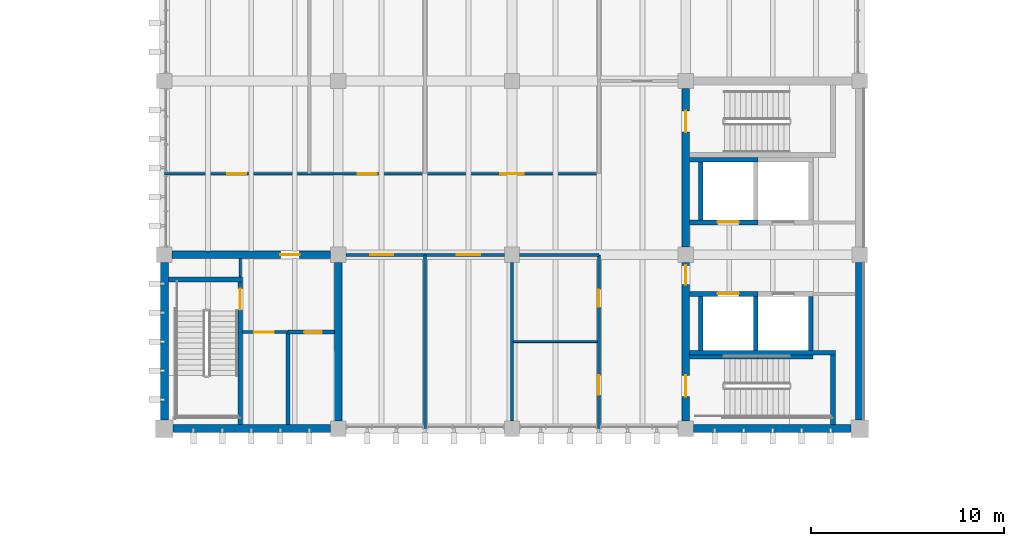
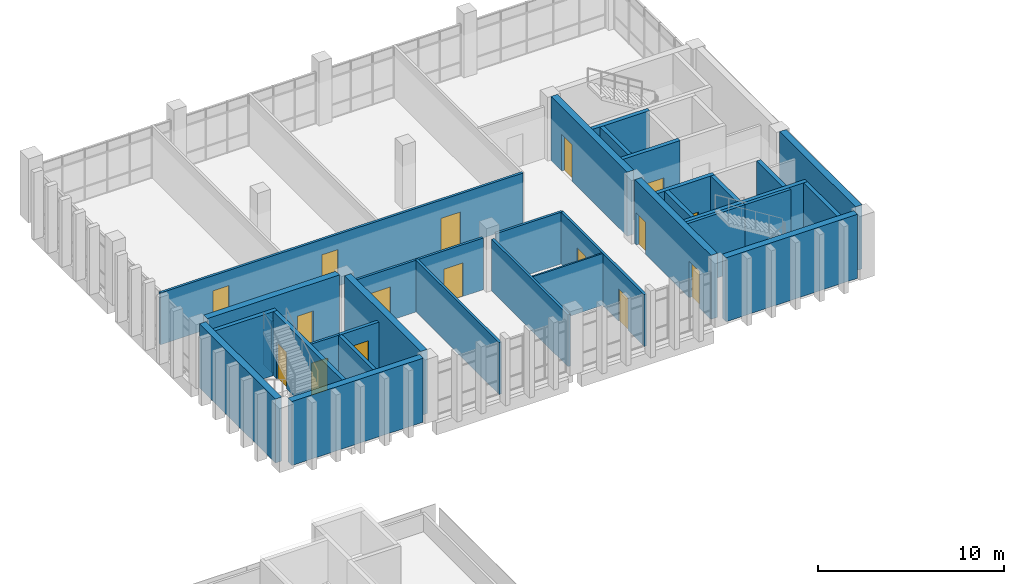
# One storey, part 19 of 29: 32 walls, 16 doors, 16 openings.
"""IFC4 building model written with IfcOpenShell, lengths in metres."""

from ifc_helpers import new_model, si_unit, direction, frame, frame_2d, origin, place, context, subcontext, project, spatial, rectangle, extrude, material, layer, layer_set, type_object, element, fill, save


model = new_model("IFC4")

# Units and contexts
model_context = context("Model", 3, precision=1e-05, world=origin(), true_north=direction((0.0, 1.0)))
body_context = subcontext(model_context, "Body", "Model", "MODEL_VIEW")
ifc_project = project(units=[si_unit("LENGTHUNIT", "METRE"), si_unit("AREAUNIT", "SQUARE_METRE"), si_unit("VOLUMEUNIT", "CUBIC_METRE"), si_unit("PLANEANGLEUNIT", "RADIAN"), si_unit("MASSUNIT", "GRAM", prefix="KILO")], contexts=[model_context])

# Site, building, storey
site_placement = place(None, origin())
site = spatial("IfcSite", under=ifc_project, at=site_placement, CompositionType="ELEMENT")
building_placement = place(site_placement, origin())
building = spatial("IfcBuilding", under=site, at=building_placement, Name="Merrow Basin Faculty of Sciences", CompositionType="ELEMENT")
storey_placement = place(building_placement, frame((0.0, 0.0, 22.5)))
storey = spatial("IfcBuildingStorey", under=building, at=storey_placement, Name="L05", CompositionType="ELEMENT", Elevation=22.5)

# Wall
ifc_material_1 = material(Name="Fire-rated gypsum board")
ifc_layer_1 = layer(ifc_material_1, 0.14990234375)
ifc_layer_set_1 = layer_set([ifc_layer_1], Name="Corridor partition 150 fire-rated board on steel studs")
wall_type_1 = type_object("IfcWallType", Name="Corridor partition 150 fire-rated board on steel studs", PredefinedType="PARTITIONING", material=ifc_layer_set_1)
wall_1_placement = place(storey_placement, frame((21.925048828125, 149.85009765625, 0.0), z_axis=(0.0, 0.0, 1.0), x_axis=(0.0, 1.0, 0.0)))
element("IfcWall", 1, at=wall_1_placement, inside=storey, type_object=wall_type_1, Name="IW151 L05 003", PredefinedType="PARTITIONING", context=body_context, shape_type="SweptSolid", body=[
    extrude(rectangle(XDim=0.949951171875, YDim=0.14990234375, at=frame_2d((0.47509765625, 0.0))), origin(), (0.0, 0.0, 1.0), 3.39990234375),
])

# Wall, openings, doors
wall_2_placement = place(storey_placement, frame((40.5, 142.0, 0.0), z_axis=(0.0, 0.0, 1.0), x_axis=(0.0, 1.0, 0.0)))
wall_2 = element("IfcWall", 2, at=wall_2_placement, inside=storey, type_object=wall_type_1, Name="IW151 L05 004", PredefinedType="PARTITIONING", context=body_context, shape_type="SweptSolid", body=[
    extrude(rectangle(XDim=9.0, YDim=0.14990234375, at=frame_2d((4.5, 0.0))), origin(), (0.0, 0.0, 1.0), 3.39990234375),
])
opening_1_placement = place(wall_2_placement, frame((1.75, 0.0, 0.0)))
opening_1 = element("IfcOpeningElement", 3, at=opening_1_placement, cuts=wall_2, Name="Opening D05T008", PredefinedType="OPENING", context=body_context, shape_type="SweptSolid", body=[
    extrude(rectangle(XDim=1.0, YDim=2.10009765625, at=frame_2d((0.5, 1.050048828125))), frame((0.0, 0.0849609375, 0.0), z_axis=(0.0, -1.0, 0.0), x_axis=(1.0, 0.0, 0.0)), (0.0, 0.0, 1.0), 0.169921875),
])
opening_2_placement = place(wall_2_placement, frame((6.300048828125, 0.0, 0.0)))
opening_2 = element("IfcOpeningElement", 4, at=opening_2_placement, cuts=wall_2, Name="Opening D05T009", PredefinedType="OPENING", context=body_context, shape_type="SweptSolid", body=[
    extrude(rectangle(XDim=0.89990234375, YDim=2.10009765625, at=frame_2d((0.449951171875, 1.050048828125))), frame((0.0, 0.0849609375, 0.0), z_axis=(0.0, -1.0, 0.0), x_axis=(1.0, 0.0, 0.0)), (0.0, 0.0, 1.0), 0.169921875),
])
ifc_material_2 = material(Name="Timber door leaf", Category="wood")
door_type_1 = type_object("IfcDoorType", Name="Accessible door 1000 x 2100", OperationType="NOTDEFINED", PredefinedType="DOOR", material=ifc_material_2)
door_1_placement = place(opening_1_placement, origin())
door_1 = element("IfcDoor", 5, at=door_1_placement, inside=storey, type_object=door_type_1, Name="Door D05T008", OperationType="SINGLE_SWING_LEFT", OverallHeight=2.10009765625, OverallWidth=1.0, PredefinedType="DOOR", context=body_context, shape_type="SweptSolid", body=[
    extrude(rectangle(XDim=1.0, YDim=2.10009765625, at=frame_2d((0.5, 1.050048828125))), frame((0.0, 0.02490234375, 0.0), z_axis=(0.0, -1.0, 0.0), x_axis=(1.0, 0.0, 0.0)), (0.0, 0.0, 1.0), 0.050048828125),
])
fill(opening_1, door_1)
ifc_material_3 = material(Name="Timber door leaf", Category="wood")
door_type_2 = type_object("IfcDoorType", Name="Single swing door 900 x 2100", OperationType="NOTDEFINED", PredefinedType="DOOR", material=ifc_material_3)
door_2_placement = place(opening_2_placement, origin())
door_2 = element("IfcDoor", 6, at=door_2_placement, inside=storey, type_object=door_type_2, Name="Door D05T009", OperationType="SINGLE_SWING_LEFT", OverallHeight=2.10009765625, OverallWidth=0.89990234375, PredefinedType="DOOR", context=body_context, shape_type="SweptSolid", body=[
    extrude(rectangle(XDim=0.89990234375, YDim=2.10009765625, at=frame_2d((0.449951171875, 1.050048828125))), frame((0.0, 0.02490234375, 0.0), z_axis=(0.0, -1.0, 0.0), x_axis=(1.0, 0.0, 0.0)), (0.0, 0.0, 1.0), 0.050048828125),
])
fill(opening_2, door_2)

# Wall, opening, door
wall_3_placement = place(storey_placement, frame((22.050048828125, 147.0, 0.0), z_axis=(0.0, 0.0, 1.0), x_axis=(1.0, 0.0, 0.0)))
wall_3 = element("IfcWall", 7, at=wall_3_placement, inside=storey, type_object=wall_type_1, Name="IW151 L05 005", PredefinedType="PARTITIONING", context=body_context, shape_type="SweptSolid", body=[
    extrude(rectangle(XDim=2.349853515625, YDim=0.14990234375, at=frame_2d((1.1748046875, 0.0))), origin(), (0.0, 0.0, 1.0), 3.39990234375),
])
opening_3_placement = place(wall_3_placement, frame((0.60009765625, 0.0, 0.0)))
opening_3 = element("IfcOpeningElement", 8, at=opening_3_placement, cuts=wall_3, Name="Opening D05T006", PredefinedType="OPENING", context=body_context, shape_type="SweptSolid", body=[
    extrude(rectangle(XDim=1.0, YDim=2.10009765625, at=frame_2d((0.5, 1.050048828125))), frame((0.0, 0.0849609375, 0.0), z_axis=(0.0, -1.0, 0.0), x_axis=(1.0, 0.0, 0.0)), (0.0, 0.0, 1.0), 0.169921875),
])
door_3_placement = place(opening_3_placement, origin())
door_3 = element("IfcDoor", 9, at=door_3_placement, inside=storey, type_object=door_type_1, Name="Door D05T006", OperationType="SINGLE_SWING_LEFT", OverallHeight=2.10009765625, OverallWidth=1.0, PredefinedType="DOOR", context=body_context, shape_type="SweptSolid", body=[
    extrude(rectangle(XDim=1.0, YDim=2.10009765625, at=frame_2d((0.5, 1.050048828125))), frame((0.0, 0.02490234375, 0.0), z_axis=(0.0, -1.0, 0.0), x_axis=(1.0, 0.0, 0.0)), (0.0, 0.0, 1.0), 0.050048828125),
])
fill(opening_3, door_3)

# Walls
wall_4_placement = place(storey_placement, frame((36.39990234375, 151.0, 0.0), z_axis=(0.0, 0.0, 1.0), x_axis=(1.0, 0.0, 0.0)))
element("IfcWall", 10, at=wall_4_placement, inside=storey, type_object=wall_type_1, Name="IW151 L05 007", PredefinedType="PARTITIONING", context=body_context, shape_type="SweptSolid", body=[
    extrude(rectangle(XDim=4.10009765625, YDim=0.14990234375, at=frame_2d((2.050048828125, 0.0))), origin(), (0.0, 0.0, 1.0), 3.39990234375),
])
ifc_material_4 = material(Name="Fire-rated gypsum board")
ifc_layer_2 = layer(ifc_material_4, 0.14990234375)
ifc_layer_set_2 = layer_set([ifc_layer_2], Name="Laboratory partition 150 fire-rated board on steel studs")
wall_type_2 = type_object("IfcWallType", Name="Laboratory partition 150 fire-rated board on steel studs", PredefinedType="PARTITIONING", material=ifc_layer_set_2)
wall_5_placement = place(storey_placement, frame((31.5, 142.0, 0.0), z_axis=(0.0, 0.0, 1.0), x_axis=(0.0, 1.0, 0.0)))
element("IfcWall", 11, at=wall_5_placement, inside=storey, type_object=wall_type_2, Name="IW150 L05 011", PredefinedType="PARTITIONING", context=body_context, shape_type="SweptSolid", body=[
    extrude(rectangle(XDim=9.0, YDim=0.14990234375, at=frame_2d((4.5, 0.0))), origin(), (0.0, 0.0, 1.0), 3.39990234375),
])
wall_6_placement = place(storey_placement, frame((36.0, 142.39990234375, 0.0), z_axis=(0.0, 0.0, 1.0), x_axis=(0.0, 1.0, 0.0)))
element("IfcWall", 12, at=wall_6_placement, inside=storey, type_object=wall_type_2, Name="IW150 L05 013", PredefinedType="PARTITIONING", context=body_context, shape_type="SweptSolid", body=[
    extrude(rectangle(XDim=8.2001953125, YDim=0.14990234375, at=frame_2d((4.10009765625, 0.0))), origin(), (0.0, 0.0, 1.0), 3.39990234375),
])

# Wall, openings, doors
wall_7_placement = place(storey_placement, frame((27.39990234375, 151.0, 0.0), z_axis=(0.0, 0.0, 1.0), x_axis=(1.0, 0.0, 0.0)))
wall_7 = element("IfcWall", 13, at=wall_7_placement, inside=storey, type_object=wall_type_2, Name="IW150 L05 015", PredefinedType="PARTITIONING", context=body_context, shape_type="SweptSolid", body=[
    extrude(rectangle(XDim=8.2001953125, YDim=0.14990234375, at=frame_2d((4.10009765625, 0.0))), origin(), (0.0, 0.0, 1.0), 3.39990234375),
])
opening_4_placement = place(wall_7_placement, frame((1.25, 0.0, 0.0)))
opening_4 = element("IfcOpeningElement", 14, at=opening_4_placement, cuts=wall_7, Name="Opening D05T013", PredefinedType="OPENING", context=body_context, shape_type="SweptSolid", body=[
    extrude(rectangle(XDim=1.199951171875, YDim=2.199951171875, at=frame_2d((0.60009765625, 1.10009765625))), frame((0.0, 0.0849609375, 0.0), z_axis=(0.0, -1.0, 0.0), x_axis=(1.0, 0.0, 0.0)), (0.0, 0.0, 1.0), 0.169921875),
])
opening_5_placement = place(wall_7_placement, frame((5.75, 0.0, 0.0)))
opening_5 = element("IfcOpeningElement", 15, at=opening_5_placement, cuts=wall_7, Name="Opening D05T014", PredefinedType="OPENING", context=body_context, shape_type="SweptSolid", body=[
    extrude(rectangle(XDim=1.199951171875, YDim=2.199951171875, at=frame_2d((0.60009765625, 1.10009765625))), frame((0.0, 0.0849609375, 0.0), z_axis=(0.0, -1.0, 0.0), x_axis=(1.0, 0.0, 0.0)), (0.0, 0.0, 1.0), 0.169921875),
])
ifc_material_5 = material(Name="Fire-rated steel door", Category="steel")
door_type_3 = type_object("IfcDoorType", Name="Fire door FD60 1200 x 2200", OperationType="NOTDEFINED", PredefinedType="DOOR", material=ifc_material_5)
door_4_placement = place(opening_4_placement, origin())
door_4 = element("IfcDoor", 16, at=door_4_placement, inside=storey, type_object=door_type_3, Name="Door D05T013", OperationType="SINGLE_SWING_LEFT", OverallHeight=2.199951171875, OverallWidth=1.199951171875, PredefinedType="DOOR", context=body_context, shape_type="SweptSolid", body=[
    extrude(rectangle(XDim=1.199951171875, YDim=2.199951171875, at=frame_2d((0.60009765625, 1.10009765625))), frame((0.0, 0.02490234375, 0.0), z_axis=(0.0, -1.0, 0.0), x_axis=(1.0, 0.0, 0.0)), (0.0, 0.0, 1.0), 0.050048828125),
])
fill(opening_4, door_4)
door_5_placement = place(opening_5_placement, origin())
door_5 = element("IfcDoor", 17, at=door_5_placement, inside=storey, type_object=door_type_3, Name="Door D05T014", OperationType="SINGLE_SWING_LEFT", OverallHeight=2.199951171875, OverallWidth=1.199951171875, PredefinedType="DOOR", context=body_context, shape_type="SweptSolid", body=[
    extrude(rectangle(XDim=1.199951171875, YDim=2.199951171875, at=frame_2d((0.60009765625, 1.10009765625))), frame((0.0, 0.02490234375, 0.0), z_axis=(0.0, -1.0, 0.0), x_axis=(1.0, 0.0, 0.0)), (0.0, 0.0, 1.0), 0.050048828125),
])
fill(opening_5, door_5)

wall_8_placement = place(storey_placement, frame((18.0, 155.199951171875, 0.0), z_axis=(0.0, 0.0, 1.0), x_axis=(1.0, 0.0, 0.0)))
wall_8 = element("IfcWall", 18, at=wall_8_placement, inside=storey, type_object=wall_type_2, Name="IW150 L05 016", PredefinedType="PARTITIONING", context=body_context, shape_type="SweptSolid", body=[
    extrude(rectangle(XDim=22.5, YDim=0.14990234375, at=frame_2d((11.25, 0.0))), origin(), (0.0, 0.0, 1.0), 3.39990234375),
])
opening_6_placement = place(wall_8_placement, frame((3.25, 0.0, 0.0)))
opening_6 = element("IfcOpeningElement", 19, at=opening_6_placement, cuts=wall_8, Name="Opening D05T010", PredefinedType="OPENING", context=body_context, shape_type="SweptSolid", body=[
    extrude(rectangle(XDim=1.0, YDim=2.39990234375, at=frame_2d((0.5, 1.199951171875))), frame((0.0, 0.0849609375, 0.0), z_axis=(0.0, -1.0, 0.0), x_axis=(1.0, 0.0, 0.0)), (0.0, 0.0, 1.0), 0.169921875),
])
opening_7_placement = place(wall_8_placement, frame((10.0, 0.0, 0.0)))
opening_7 = element("IfcOpeningElement", 20, at=opening_7_placement, cuts=wall_8, Name="Opening D05T011", PredefinedType="OPENING", context=body_context, shape_type="SweptSolid", body=[
    extrude(rectangle(XDim=1.0, YDim=2.39990234375, at=frame_2d((0.5, 1.199951171875))), frame((0.0, 0.0849609375, 0.0), z_axis=(0.0, -1.0, 0.0), x_axis=(1.0, 0.0, 0.0)), (0.0, 0.0, 1.0), 0.169921875),
])
opening_8_placement = place(wall_8_placement, frame((17.39990234375, 0.0, 0.0)))
opening_8 = element("IfcOpeningElement", 21, at=opening_8_placement, cuts=wall_8, Name="Opening D05T012", PredefinedType="OPENING", context=body_context, shape_type="SweptSolid", body=[
    extrude(rectangle(XDim=1.199951171875, YDim=2.199951171875, at=frame_2d((0.60009765625, 1.10009765625))), frame((0.0, 0.0849609375, 0.0), z_axis=(0.0, -1.0, 0.0), x_axis=(1.0, 0.0, 0.0)), (0.0, 0.0, 1.0), 0.169921875),
])
ifc_material_6 = material(Name="Fire-rated steel door", Category="steel")
door_type_4 = type_object("IfcDoorType", Name="Fire door FD60 1000 x 2400", OperationType="NOTDEFINED", PredefinedType="DOOR", material=ifc_material_6)
door_6_placement = place(opening_6_placement, origin())
door_6 = element("IfcDoor", 22, at=door_6_placement, inside=storey, type_object=door_type_4, Name="Door D05T010", OperationType="SINGLE_SWING_LEFT", OverallHeight=2.39990234375, OverallWidth=1.0, PredefinedType="DOOR", context=body_context, shape_type="SweptSolid", body=[
    extrude(rectangle(XDim=1.0, YDim=2.39990234375, at=frame_2d((0.5, 1.199951171875))), frame((0.0, 0.02490234375, 0.0), z_axis=(0.0, -1.0, 0.0), x_axis=(1.0, 0.0, 0.0)), (0.0, 0.0, 1.0), 0.050048828125),
])
fill(opening_6, door_6)
door_7_placement = place(opening_7_placement, origin())
door_7 = element("IfcDoor", 23, at=door_7_placement, inside=storey, type_object=door_type_4, Name="Door D05T011", OperationType="SINGLE_SWING_LEFT", OverallHeight=2.39990234375, OverallWidth=1.0, PredefinedType="DOOR", context=body_context, shape_type="SweptSolid", body=[
    extrude(rectangle(XDim=1.0, YDim=2.39990234375, at=frame_2d((0.5, 1.199951171875))), frame((0.0, 0.02490234375, 0.0), z_axis=(0.0, -1.0, 0.0), x_axis=(1.0, 0.0, 0.0)), (0.0, 0.0, 1.0), 0.050048828125),
])
fill(opening_7, door_7)
door_8_placement = place(opening_8_placement, origin())
door_8 = element("IfcDoor", 24, at=door_8_placement, inside=storey, type_object=door_type_3, Name="Door D05T012", OperationType="SINGLE_SWING_LEFT", OverallHeight=2.199951171875, OverallWidth=1.199951171875, PredefinedType="DOOR", context=body_context, shape_type="SweptSolid", body=[
    extrude(rectangle(XDim=1.199951171875, YDim=2.199951171875, at=frame_2d((0.60009765625, 1.10009765625))), frame((0.0, 0.02490234375, 0.0), z_axis=(0.0, -1.0, 0.0), x_axis=(1.0, 0.0, 0.0)), (0.0, 0.0, 1.0), 0.050048828125),
])
fill(opening_8, door_8)

# Walls
ifc_material_7 = material(Name="Moisture-resistant gypsum board")
ifc_layer_3 = layer(ifc_material_7, 0.10009765625)
ifc_layer_set_3 = layer_set([ifc_layer_3], Name="Partition 100 moisture-resistant board on steel studs")
wall_type_3 = type_object("IfcWallType", Name="Partition 100 moisture-resistant board on steel studs", PredefinedType="PARTITIONING", material=ifc_layer_set_3)
wall_9_placement = place(storey_placement, frame((36.074951171875, 146.5, 0.0), z_axis=(0.0, 0.0, 1.0), x_axis=(1.0, 0.0, 0.0)))
element("IfcWall", 25, at=wall_9_placement, inside=storey, type_object=wall_type_3, Name="IW101 L05 017", PredefinedType="PARTITIONING", context=body_context, shape_type="SweptSolid", body=[
    extrude(rectangle(XDim=4.35009765625, YDim=0.10009765625, at=frame_2d((2.175048828125, 0.0))), origin(), (0.0, 0.0, 1.0), 3.39990234375),
])
ifc_material_8 = material(Name="Fire-rated gypsum board")
ifc_layer_4 = layer(ifc_material_8, 0.199951171875)
ifc_layer_set_4 = layer_set([ifc_layer_4], Name="Riser lining 200 fire-rated board on steel studs")
wall_type_4 = type_object("IfcWallType", Name="Riser lining 200 fire-rated board on steel studs", PredefinedType="PARTITIONING", material=ifc_layer_set_4)
wall_10_placement = place(storey_placement, frame((24.39990234375, 142.199951171875, 0.0), z_axis=(0.0, 0.0, 1.0), x_axis=(0.0, 1.0, 0.0)))
element("IfcWall", 26, at=wall_10_placement, inside=storey, type_object=wall_type_4, Name="IW200 L05 001", PredefinedType="PARTITIONING", context=body_context, shape_type="SweptSolid", body=[
    extrude(rectangle(XDim=4.800048828125, YDim=0.199951171875, at=frame_2d((2.39990234375, 0.0))), origin(), (0.0, 0.0, 1.0), 3.39990234375),
])

# Wall, opening, door
wall_11_placement = place(storey_placement, frame((24.39990234375, 147.0, 0.0), z_axis=(0.0, 0.0, 1.0), x_axis=(1.0, 0.0, 0.0)))
wall_11 = element("IfcWall", 27, at=wall_11_placement, inside=storey, type_object=wall_type_4, Name="IW200 L05 002", PredefinedType="PARTITIONING", context=body_context, shape_type="SweptSolid", body=[
    extrude(rectangle(XDim=2.400146484375, YDim=0.199951171875, at=frame_2d((1.2001953125, 0.0))), origin(), (0.0, 0.0, 1.0), 3.39990234375),
])
opening_9_placement = place(wall_11_placement, frame((0.85009765625, 0.0, 0.0)))
opening_9 = element("IfcOpeningElement", 28, at=opening_9_placement, cuts=wall_11, Name="Opening D05T007", PredefinedType="OPENING", context=body_context, shape_type="SweptSolid", body=[
    extrude(rectangle(XDim=0.89990234375, YDim=2.39990234375, at=frame_2d((0.449951171875, 1.199951171875))), frame((0.0, 0.10986328125, 0.0), z_axis=(0.0, -1.0, 0.0), x_axis=(1.0, 0.0, 0.0)), (0.0, 0.0, 1.0), 0.219970703125),
])
ifc_material_9 = material(Name="Fire-rated steel door", Category="steel")
door_type_5 = type_object("IfcDoorType", Name="Fire door FD60 900 x 2400", OperationType="NOTDEFINED", PredefinedType="DOOR", material=ifc_material_9)
door_9_placement = place(opening_9_placement, origin())
door_9 = element("IfcDoor", 29, at=door_9_placement, inside=storey, type_object=door_type_5, Name="Door D05T007", OperationType="SINGLE_SWING_RIGHT", OverallHeight=2.39990234375, OverallWidth=0.89990234375, PredefinedType="DOOR", context=body_context, shape_type="SweptSolid", body=[
    extrude(rectangle(XDim=0.89990234375, YDim=2.39990234375, at=frame_2d((0.449951171875, 1.199951171875))), frame((0.0, 0.02490234375, 0.0), z_axis=(0.0, -1.0, 0.0), x_axis=(1.0, 0.0, 0.0)), (0.0, 0.0, 1.0), 0.050048828125),
])
fill(opening_9, door_9)

# Walls
ifc_material_10 = material(Name="Concrete C40/50", Category="concrete")
ifc_layer_5 = layer(ifc_material_10, 0.199951171875)
ifc_layer_set_5 = layer_set([ifc_layer_5], Name="Shear wall 200 Concrete C40/50")
wall_type_5 = type_object("IfcWallType", Name="Shear wall 200 Concrete C40/50", PredefinedType="SHEAR", material=ifc_layer_set_5)
wall_12_placement = place(storey_placement, frame((45.199951171875, 145.699951171875, 0.0), z_axis=(0.0, 0.0, 1.0), x_axis=(1.0, 0.0, 0.0)))
element("IfcWall", 30, at=wall_12_placement, inside=storey, type_object=wall_type_5, Name="SW6 L05 018", PredefinedType="SHEAR", context=body_context, shape_type="SweptSolid", body=[
    extrude(rectangle(XDim=3.550048828125, YDim=0.199951171875, at=frame_2d((1.77490234375, 0.0))), origin(), (0.0, 0.0, 1.0), 4.199951171875),
])
wall_13_placement = place(storey_placement, frame((48.75, 145.699951171875, 0.0), z_axis=(0.0, 0.0, 1.0), x_axis=(1.0, 0.0, 0.0)))
element("IfcWall", 31, at=wall_13_placement, inside=storey, type_object=wall_type_5, Name="SW6 L05 022", PredefinedType="SHEAR", context=body_context, shape_type="SweptSolid", body=[
    extrude(rectangle(XDim=2.85009765625, YDim=0.199951171875, at=frame_2d((1.425048828125, 0.0))), origin(), (0.0, 0.0, 1.0), 4.199951171875),
])
ifc_material_11 = material(Name="Concrete C40/50", Category="concrete")
ifc_layer_6 = layer(ifc_material_11, 0.25)
ifc_layer_set_6 = layer_set([ifc_layer_6], Name="Shear wall 250 Concrete C40/50")
wall_type_6 = type_object("IfcWallType", Name="Shear wall 250 Concrete C40/50", PredefinedType="SHEAR", material=ifc_layer_set_6)
wall_14_placement = place(storey_placement, frame((45.199951171875, 145.925048828125, 0.0), z_axis=(0.0, 0.0, 1.0), x_axis=(1.0, 0.0, 0.0)))
element("IfcWall", 32, at=wall_14_placement, inside=storey, type_object=wall_type_6, Name="SW2 L05 009", PredefinedType="SHEAR", context=body_context, shape_type="SweptSolid", body=[
    extrude(rectangle(XDim=7.550048828125, YDim=0.25, at=frame_2d((3.77490234375, 0.0))), origin(), (0.0, 0.0, 1.0), 4.199951171875),
])
wall_15_placement = place(storey_placement, frame((52.625, 142.199951171875, 0.0), z_axis=(0.0, 0.0, 1.0), x_axis=(0.0, 1.0, 0.0)))
element("IfcWall", 33, at=wall_15_placement, inside=storey, type_object=wall_type_6, Name="SW2 L05 010", PredefinedType="SHEAR", context=body_context, shape_type="SweptSolid", body=[
    extrude(rectangle(XDim=3.60009765625, YDim=0.25, at=frame_2d((1.800048828125, 0.0))), origin(), (0.0, 0.0, 1.0), 4.199951171875),
])

# Wall, opening, door
wall_16_placement = place(storey_placement, frame((45.199951171875, 152.675048828125, 0.0), z_axis=(0.0, 0.0, 1.0), x_axis=(1.0, 0.0, 0.0)))
wall_16 = element("IfcWall", 34, at=wall_16_placement, inside=storey, type_object=wall_type_6, Name="SW2 L05 011", PredefinedType="SHEAR", context=body_context, shape_type="SweptSolid", body=[
    extrude(rectangle(XDim=3.550048828125, YDim=0.25, at=frame_2d((1.77490234375, 0.0))), origin(), (0.0, 0.0, 1.0), 4.199951171875),
])
opening_10_placement = place(wall_16_placement, frame((1.449951171875, 0.0, 0.0)))
opening_10 = element("IfcOpeningElement", 35, at=opening_10_placement, cuts=wall_16, Name="Opening LD05T01", PredefinedType="OPENING", context=body_context, shape_type="SweptSolid", body=[
    extrude(rectangle(XDim=1.10009765625, YDim=2.10009765625, at=frame_2d((0.550048828125, 1.050048828125))), frame((0.0, 0.135009765625, 0.0), z_axis=(0.0, -1.0, 0.0), x_axis=(1.0, 0.0, 0.0)), (0.0, 0.0, 1.0), 0.27001953125),
])
ifc_material_12 = material(Name="Stainless steel sliding door", Category="steel")
door_type_6 = type_object("IfcDoorType", Name="Lift landing door 1100 x 2100 sliding", OperationType="NOTDEFINED", PredefinedType="DOOR", material=ifc_material_12)
door_10_placement = place(opening_10_placement, origin())
door_10 = element("IfcDoor", 36, at=door_10_placement, inside=storey, type_object=door_type_6, Name="Landing door LF11 L05", OperationType="SLIDING_TO_LEFT", OverallHeight=2.10009765625, OverallWidth=1.10009765625, PredefinedType="DOOR", context=body_context, shape_type="SweptSolid", body=[
    extrude(rectangle(XDim=1.10009765625, YDim=2.10009765625, at=frame_2d((0.550048828125, 1.050048828125))), frame((0.0, 0.02490234375, 0.0), z_axis=(0.0, -1.0, 0.0), x_axis=(1.0, 0.0, 0.0)), (0.0, 0.0, 1.0), 0.050048828125),
])
fill(opening_10, door_10)

# Walls
wall_17_placement = place(storey_placement, frame((45.199951171875, 155.925048828125, 0.0), z_axis=(0.0, 0.0, 1.0), x_axis=(1.0, 0.0, 0.0)))
element("IfcWall", 37, at=wall_17_placement, inside=storey, type_object=wall_type_6, Name="SW2 L05 012", PredefinedType="SHEAR", context=body_context, shape_type="SweptSolid", body=[
    extrude(rectangle(XDim=3.550048828125, YDim=0.25, at=frame_2d((1.77490234375, 0.0))), origin(), (0.0, 0.0, 1.0), 4.199951171875),
])
wall_18_placement = place(storey_placement, frame((45.77490234375, 152.800048828125, 0.0), z_axis=(0.0, 0.0, 1.0), x_axis=(0.0, 1.0, 0.0)))
element("IfcWall", 38, at=wall_18_placement, inside=storey, type_object=wall_type_6, Name="SW2 L05 013", PredefinedType="SHEAR", context=body_context, shape_type="SweptSolid", body=[
    extrude(rectangle(XDim=3.0, YDim=0.25, at=frame_2d((1.5, 0.0))), origin(), (0.0, 0.0, 1.0), 4.199951171875),
])

# Wall, opening, door
wall_19_placement = place(storey_placement, frame((45.199951171875, 148.97509765625, 0.0), z_axis=(0.0, 0.0, 1.0), x_axis=(1.0, 0.0, 0.0)))
wall_19 = element("IfcWall", 39, at=wall_19_placement, inside=storey, type_object=wall_type_6, Name="SW2 L05 019", PredefinedType="SHEAR", context=body_context, shape_type="SweptSolid", body=[
    extrude(rectangle(XDim=3.550048828125, YDim=0.25, at=frame_2d((1.77490234375, 0.0))), origin(), (0.0, 0.0, 1.0), 4.199951171875),
])
opening_11_placement = place(wall_19_placement, frame((1.449951171875, 0.0, 0.0)))
opening_11 = element("IfcOpeningElement", 40, at=opening_11_placement, cuts=wall_19, Name="Opening LD05T03", PredefinedType="OPENING", context=body_context, shape_type="SweptSolid", body=[
    extrude(rectangle(XDim=1.10009765625, YDim=2.10009765625, at=frame_2d((0.550048828125, 1.050048828125))), frame((0.0, 0.135009765625, 0.0), z_axis=(0.0, -1.0, 0.0), x_axis=(1.0, 0.0, 0.0)), (0.0, 0.0, 1.0), 0.27001953125),
])
door_11_placement = place(opening_11_placement, origin())
door_11 = element("IfcDoor", 41, at=door_11_placement, inside=storey, type_object=door_type_6, Name="Landing door LF13 L05", OperationType="SLIDING_TO_LEFT", OverallHeight=2.10009765625, OverallWidth=1.10009765625, PredefinedType="DOOR", context=body_context, shape_type="SweptSolid", body=[
    extrude(rectangle(XDim=1.10009765625, YDim=2.10009765625, at=frame_2d((0.550048828125, 1.050048828125))), frame((0.0, 0.02490234375, 0.0), z_axis=(0.0, -1.0, 0.0), x_axis=(1.0, 0.0, 0.0)), (0.0, 0.0, 1.0), 0.050048828125),
])
fill(opening_11, door_11)

# Walls
for number, where, z_axis, x_axis, name in (
    (42, (45.77490234375, 146.050048828125, 0.0), (0.0, 0.0, 1.0), (0.0, 1.0, 0.0), "SW2 L05 020"),
    (43, (48.625, 146.050048828125, 0.0), (0.0, 0.0, 1.0), (0.0, 1.0, 0.0), "SW2 L05 021"),
    (44, (51.47509765625, 146.050048828125, 0.0), (0.0, 0.0, 1.0), (0.0, 1.0, 0.0), "SW2 L05 024"),
):
    element("IfcWall", number, at=place(storey_placement, frame(where, z_axis=z_axis, x_axis=x_axis)), inside=storey, type_object=wall_type_6, Name=name, PredefinedType="SHEAR", context=body_context, shape_type="SweptSolid", body=[
        extrude(rectangle(XDim=2.800048828125, YDim=0.25, at=frame_2d((1.39990234375, 0.0))), origin(), (0.0, 0.0, 1.0), 4.199951171875),
    ])
wall_20_placement = place(storey_placement, frame((18.199951171875, 149.72509765625, 0.0), z_axis=(0.0, 0.0, 1.0), x_axis=(1.0, 0.0, 0.0)))
element("IfcWall", 45, at=wall_20_placement, inside=storey, type_object=wall_type_6, Name="SW2 L05 029", PredefinedType="SHEAR", context=body_context, shape_type="SweptSolid", body=[
    extrude(rectangle(XDim=3.85009765625, YDim=0.25, at=frame_2d((1.925048828125, 0.0))), origin(), (0.0, 0.0, 1.0), 4.199951171875),
])

# Wall, opening, door
wall_21_placement = place(storey_placement, frame((21.925048828125, 142.199951171875, 0.0), z_axis=(0.0, 0.0, 1.0), x_axis=(0.0, 1.0, 0.0)))
wall_21 = element("IfcWall", 46, at=wall_21_placement, inside=storey, type_object=wall_type_6, Name="SW2 L05 030", PredefinedType="SHEAR", context=body_context, shape_type="SweptSolid", body=[
    extrude(rectangle(XDim=7.400146484375, YDim=0.25, at=frame_2d((3.7001953125, 0.0))), origin(), (0.0, 0.0, 1.0), 4.199951171875),
])
opening_12_placement = place(wall_21_placement, frame((5.949951171875, 0.0, 0.0)))
opening_12 = element("IfcOpeningElement", 47, at=opening_12_placement, cuts=wall_21, Name="Opening D05T004", PredefinedType="OPENING", context=body_context, shape_type="SweptSolid", body=[
    extrude(rectangle(XDim=1.10009765625, YDim=2.39990234375, at=frame_2d((0.550048828125, 1.199951171875))), frame((0.0, 0.135009765625, 0.0), z_axis=(0.0, -1.0, 0.0), x_axis=(1.0, 0.0, 0.0)), (0.0, 0.0, 1.0), 0.27001953125),
])
ifc_material_13 = material(Name="Fire-rated steel door", Category="steel")
door_type_7 = type_object("IfcDoorType", Name="Fire door FD90 1100 x 2400", OperationType="NOTDEFINED", PredefinedType="DOOR", material=ifc_material_13)
door_12_placement = place(opening_12_placement, origin())
door_12 = element("IfcDoor", 48, at=door_12_placement, inside=storey, type_object=door_type_7, Name="Door D05T004", OperationType="SINGLE_SWING_RIGHT", OverallHeight=2.39990234375, OverallWidth=1.10009765625, PredefinedType="DOOR", context=body_context, shape_type="SweptSolid", body=[
    extrude(rectangle(XDim=1.10009765625, YDim=2.39990234375, at=frame_2d((0.550048828125, 1.199951171875))), frame((0.0, 0.02490234375, 0.0), z_axis=(0.0, -1.0, 0.0), x_axis=(1.0, 0.0, 0.0)), (0.0, 0.0, 1.0), 0.050048828125),
])
fill(opening_12, door_12)

# Wall
ifc_material_14 = material(Name="Concrete C40/50", Category="concrete")
ifc_layer_7 = layer(ifc_material_14, 0.39990234375)
ifc_layer_set_7 = layer_set([ifc_layer_7], Name="Shear wall 400 Concrete C40/50")
wall_type_7 = type_object("IfcWallType", Name="Shear wall 400 Concrete C40/50", PredefinedType="SHEAR", material=ifc_layer_set_7)
wall_22_placement = place(storey_placement, frame((45.39990234375, 142.0, 0.0), z_axis=(0.0, 0.0, 1.0), x_axis=(1.0, 0.0, 0.0)))
element("IfcWall", 49, at=wall_22_placement, inside=storey, type_object=wall_type_7, Name="SW1 L05 001", PredefinedType="SHEAR", context=body_context, shape_type="SweptSolid", body=[
    extrude(rectangle(XDim=8.150146484375, YDim=0.39990234375, at=frame_2d((4.0751953125, 0.0))), origin(), (0.0, 0.0, 1.0), 4.199951171875),
])

# Wall, openings, doors
wall_23_placement = place(storey_placement, frame((45.0, 142.39990234375, 0.0), z_axis=(0.0, 0.0, 1.0), x_axis=(0.0, 1.0, 0.0)))
wall_23 = element("IfcWall", 50, at=wall_23_placement, inside=storey, type_object=wall_type_7, Name="SW1 L05 003", PredefinedType="SHEAR", context=body_context, shape_type="SweptSolid", body=[
    extrude(rectangle(XDim=8.2001953125, YDim=0.39990234375, at=frame_2d((4.10009765625, 0.0))), origin(), (0.0, 0.0, 1.0), 4.199951171875),
])
opening_13_placement = place(wall_23_placement, frame((1.25, 0.0, 0.0)))
opening_13 = element("IfcOpeningElement", 51, at=opening_13_placement, cuts=wall_23, Name="Opening D05T001", PredefinedType="OPENING", context=body_context, shape_type="SweptSolid", body=[
    extrude(rectangle(XDim=1.10009765625, YDim=2.39990234375, at=frame_2d((0.550048828125, 1.199951171875))), frame((0.0, 0.2099609375, 0.0), z_axis=(0.0, -1.0, 0.0), x_axis=(1.0, 0.0, 0.0)), (0.0, 0.0, 1.0), 0.419921875),
])
opening_14_placement = place(wall_23_placement, frame((7.050048828125, 0.0, 0.0)))
opening_14 = element("IfcOpeningElement", 52, at=opening_14_placement, cuts=wall_23, Name="Opening D05T003", PredefinedType="OPENING", context=body_context, shape_type="SweptSolid", body=[
    extrude(rectangle(XDim=1.0, YDim=2.10009765625, at=frame_2d((0.5, 1.050048828125))), frame((0.0, 0.2099609375, 0.0), z_axis=(0.0, -1.0, 0.0), x_axis=(1.0, 0.0, 0.0)), (0.0, 0.0, 1.0), 0.419921875),
])
door_13_placement = place(opening_13_placement, origin())
door_13 = element("IfcDoor", 53, at=door_13_placement, inside=storey, type_object=door_type_7, Name="Door D05T001", OperationType="SINGLE_SWING_LEFT", OverallHeight=2.39990234375, OverallWidth=1.10009765625, PredefinedType="DOOR", context=body_context, shape_type="SweptSolid", body=[
    extrude(rectangle(XDim=1.10009765625, YDim=2.39990234375, at=frame_2d((0.550048828125, 1.199951171875))), frame((0.0, 0.02490234375, 0.0), z_axis=(0.0, -1.0, 0.0), x_axis=(1.0, 0.0, 0.0)), (0.0, 0.0, 1.0), 0.050048828125),
])
fill(opening_13, door_13)
ifc_material_15 = material(Name="Timber door leaf", Category="wood")
door_type_8 = type_object("IfcDoorType", Name="Single swing door 1000 x 2100", OperationType="NOTDEFINED", PredefinedType="DOOR", material=ifc_material_15)
door_14_placement = place(opening_14_placement, origin())
door_14 = element("IfcDoor", 54, at=door_14_placement, inside=storey, type_object=door_type_8, Name="Door D05T003", OperationType="SINGLE_SWING_LEFT", OverallHeight=2.10009765625, OverallWidth=1.0, PredefinedType="DOOR", context=body_context, shape_type="SweptSolid", body=[
    extrude(rectangle(XDim=1.0, YDim=2.10009765625, at=frame_2d((0.5, 1.050048828125))), frame((0.0, 0.02490234375, 0.0), z_axis=(0.0, -1.0, 0.0), x_axis=(1.0, 0.0, 0.0)), (0.0, 0.0, 1.0), 0.050048828125),
])
fill(opening_14, door_14)

# Wall, opening, door
wall_24_placement = place(storey_placement, frame((45.0, 151.39990234375, 0.0), z_axis=(0.0, 0.0, 1.0), x_axis=(0.0, 1.0, 0.0)))
wall_24 = element("IfcWall", 55, at=wall_24_placement, inside=storey, type_object=wall_type_7, Name="SW1 L05 004", PredefinedType="SHEAR", context=body_context, shape_type="SweptSolid", body=[
    extrude(rectangle(XDim=8.2001953125, YDim=0.39990234375, at=frame_2d((4.10009765625, 0.0))), origin(), (0.0, 0.0, 1.0), 4.199951171875),
])
opening_15_placement = place(wall_24_placement, frame((5.949951171875, 0.0, 0.0)))
opening_15 = element("IfcOpeningElement", 56, at=opening_15_placement, cuts=wall_24, Name="Opening D05T002", PredefinedType="OPENING", context=body_context, shape_type="SweptSolid", body=[
    extrude(rectangle(XDim=1.10009765625, YDim=2.39990234375, at=frame_2d((0.550048828125, 1.199951171875))), frame((0.0, 0.2099609375, 0.0), z_axis=(0.0, -1.0, 0.0), x_axis=(1.0, 0.0, 0.0)), (0.0, 0.0, 1.0), 0.419921875),
])
door_15_placement = place(opening_15_placement, origin())
door_15 = element("IfcDoor", 57, at=door_15_placement, inside=storey, type_object=door_type_7, Name="Door D05T002", OperationType="SINGLE_SWING_RIGHT", OverallHeight=2.39990234375, OverallWidth=1.10009765625, PredefinedType="DOOR", context=body_context, shape_type="SweptSolid", body=[
    extrude(rectangle(XDim=1.10009765625, YDim=2.39990234375, at=frame_2d((0.550048828125, 1.199951171875))), frame((0.0, 0.02490234375, 0.0), z_axis=(0.0, -1.0, 0.0), x_axis=(1.0, 0.0, 0.0)), (0.0, 0.0, 1.0), 0.050048828125),
])
fill(opening_15, door_15)

# Walls
for number, where, z_axis, x_axis, name in (
    (58, (54.0, 142.449951171875, 0.0), (0.0, 0.0, 1.0), (0.0, 1.0, 0.0), "SW1 L05 006"),
    (59, (18.449951171875, 142.0, 0.0), (0.0, 0.0, 1.0), (1.0, 0.0, 0.0), "SW1 L05 025"),
):
    element("IfcWall", number, at=place(storey_placement, frame(where, z_axis=z_axis, x_axis=x_axis)), inside=storey, type_object=wall_type_7, Name=name, PredefinedType="SHEAR", context=body_context, shape_type="SweptSolid", body=[
        extrude(rectangle(XDim=8.150146484375, YDim=0.39990234375, at=frame_2d((4.0751953125, 0.0))), origin(), (0.0, 0.0, 1.0), 4.199951171875),
    ])

# Wall, opening, door
wall_25_placement = place(storey_placement, frame((18.39990234375, 151.0, 0.0), z_axis=(0.0, 0.0, 1.0), x_axis=(1.0, 0.0, 0.0)))
wall_25 = element("IfcWall", 60, at=wall_25_placement, inside=storey, type_object=wall_type_7, Name="SW1 L05 026", PredefinedType="SHEAR", context=body_context, shape_type="SweptSolid", body=[
    extrude(rectangle(XDim=8.2001953125, YDim=0.39990234375, at=frame_2d((4.10009765625, 0.0))), origin(), (0.0, 0.0, 1.0), 4.199951171875),
])
opening_16_placement = place(wall_25_placement, frame((5.60009765625, 0.0, 0.0)))
opening_16 = element("IfcOpeningElement", 61, at=opening_16_placement, cuts=wall_25, Name="Opening D05T005", PredefinedType="OPENING", context=body_context, shape_type="SweptSolid", body=[
    extrude(rectangle(XDim=1.0, YDim=2.39990234375, at=frame_2d((0.5, 1.199951171875))), frame((0.0, 0.2099609375, 0.0), z_axis=(0.0, -1.0, 0.0), x_axis=(1.0, 0.0, 0.0)), (0.0, 0.0, 1.0), 0.419921875),
])
door_16_placement = place(opening_16_placement, origin())
door_16 = element("IfcDoor", 62, at=door_16_placement, inside=storey, type_object=door_type_4, Name="Door D05T005", OperationType="SINGLE_SWING_RIGHT", OverallHeight=2.39990234375, OverallWidth=1.0, PredefinedType="DOOR", context=body_context, shape_type="SweptSolid", body=[
    extrude(rectangle(XDim=1.0, YDim=2.39990234375, at=frame_2d((0.5, 1.199951171875))), frame((0.0, 0.02490234375, 0.0), z_axis=(0.0, -1.0, 0.0), x_axis=(1.0, 0.0, 0.0)), (0.0, 0.0, 1.0), 0.050048828125),
])
fill(opening_16, door_16)

# Walls
wall_26_placement = place(storey_placement, frame((18.0, 142.449951171875, 0.0), z_axis=(0.0, 0.0, 1.0), x_axis=(0.0, 1.0, 0.0)))
element("IfcWall", 63, at=wall_26_placement, inside=storey, type_object=wall_type_7, Name="SW1 L05 027", PredefinedType="SHEAR", context=body_context, shape_type="SweptSolid", body=[
    extrude(rectangle(XDim=8.150146484375, YDim=0.39990234375, at=frame_2d((4.0751953125, 0.0))), origin(), (0.0, 0.0, 1.0), 4.199951171875),
])
wall_27_placement = place(storey_placement, frame((27.0, 142.39990234375, 0.0), z_axis=(0.0, 0.0, 1.0), x_axis=(0.0, 1.0, 0.0)))
element("IfcWall", 64, at=wall_27_placement, inside=storey, type_object=wall_type_7, Name="SW1 L05 028", PredefinedType="SHEAR", context=body_context, shape_type="SweptSolid", body=[
    extrude(rectangle(XDim=8.2001953125, YDim=0.39990234375, at=frame_2d((4.10009765625, 0.0))), origin(), (0.0, 0.0, 1.0), 4.199951171875),
])

save(model, "model.ifc")
